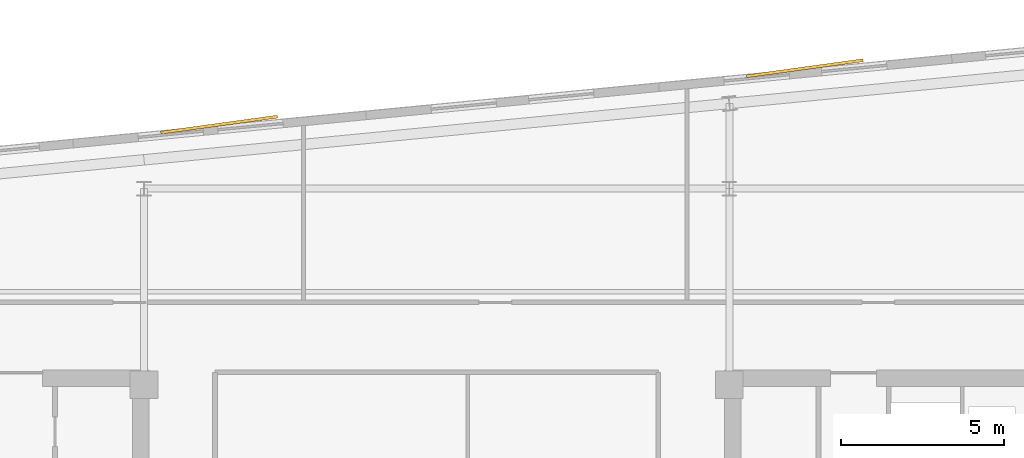
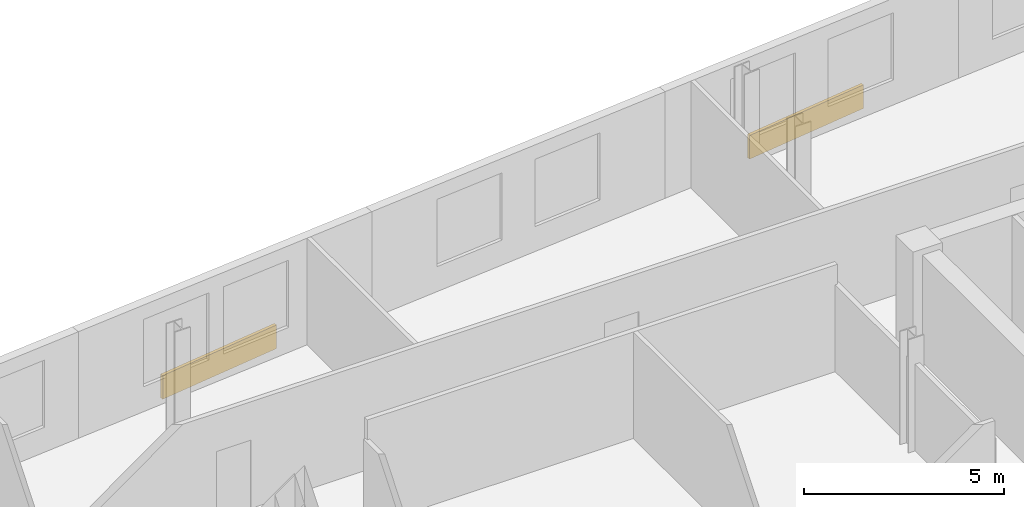
# One storey, part 9 of 9: 2 coverings.
"""IFC4 building model written with IfcOpenShell, lengths in metres."""

from ifc_helpers import new_model, si_unit, direction, frame, origin, origin_2d, place, context, subcontext, project, spatial, rectangle, extrude, material, layer, layer_set, type_object, element, save


model = new_model("IFC4")

# Units and contexts
model_context = context("Model", 3, precision=1e-05, world=origin(), true_north=direction((0.0, 1.0)))
body_context = subcontext(model_context, "Body", "Model", "MODEL_VIEW")
ifc_project = project(units=[si_unit("LENGTHUNIT", "METRE"), si_unit("AREAUNIT", "SQUARE_METRE"), si_unit("VOLUMEUNIT", "CUBIC_METRE"), si_unit("PLANEANGLEUNIT", "RADIAN"), si_unit("MASSUNIT", "GRAM", prefix="KILO")], contexts=[model_context])

# Site, building, storey
site_placement = place(None, origin())
site = spatial("IfcSite", under=ifc_project, at=site_placement, CompositionType="ELEMENT")
building_placement = place(site_placement, origin())
building = spatial("IfcBuilding", under=site, at=building_placement, Name="Velakula Bourse", CompositionType="ELEMENT")
storey_placement = place(building_placement, frame((0.0, 0.0, 265.5)))
storey = spatial("IfcBuildingStorey", under=building, at=storey_placement, Name="L72", CompositionType="ELEMENT", Elevation=265.5)

# Coverings
ifc_material = material(Name="Buff kilned clay facing brick masonry", Category="masonry")
ifc_layer = layer(ifc_material, 0.074951171875, Name="Buff kilned clay facing brick masonry", Category="masonry")
ifc_layer_set = layer_set([ifc_layer], Name="Buff kilned clay facing brick masonry")
covering_type = type_object("IfcCoveringType", Name="COV-BRK-SPN-75", PredefinedType="CLADDING", material=ifc_layer_set)
for number, where, z_axis, x_axis, name in (
    (1, (-6.655029296875, 16.555908203125, 0.0), (0.0, 0.0, 1.0), (0.990629029058, 0.136580111242, 0.0), "L72 Folded Brick Facade Cladding Panel N-B2"),
    (2, (11.26220703125, 18.281005859375, 0.0), (0.0, 0.0, 1.0), (0.990629029058, 0.136580111242, 0.0), "L72 Folded Brick Facade Cladding Panel N-B4"),
):
    element("IfcCovering", number, at=place(storey_placement, frame(where, z_axis=z_axis, x_axis=x_axis)), inside=storey, type_object=covering_type, Name=name, PredefinedType="CLADDING", context=body_context, shape_type="SweptSolid", body=[
        extrude(rectangle(XDim=3.60009765625, YDim=0.090087890625, at=origin_2d()), origin(), (0.0, 0.0, 1.0), 0.719970703125),
    ])

save(model, "model.ifc")
